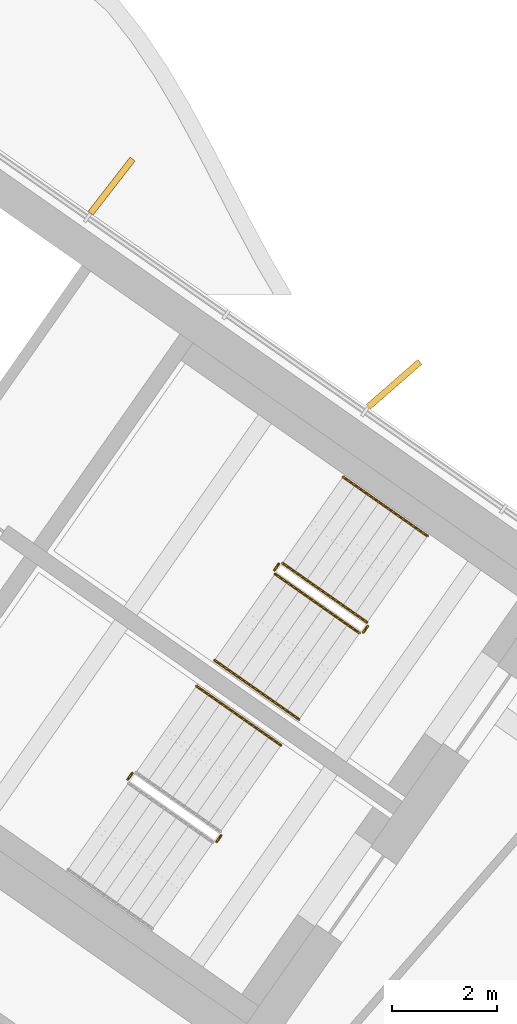
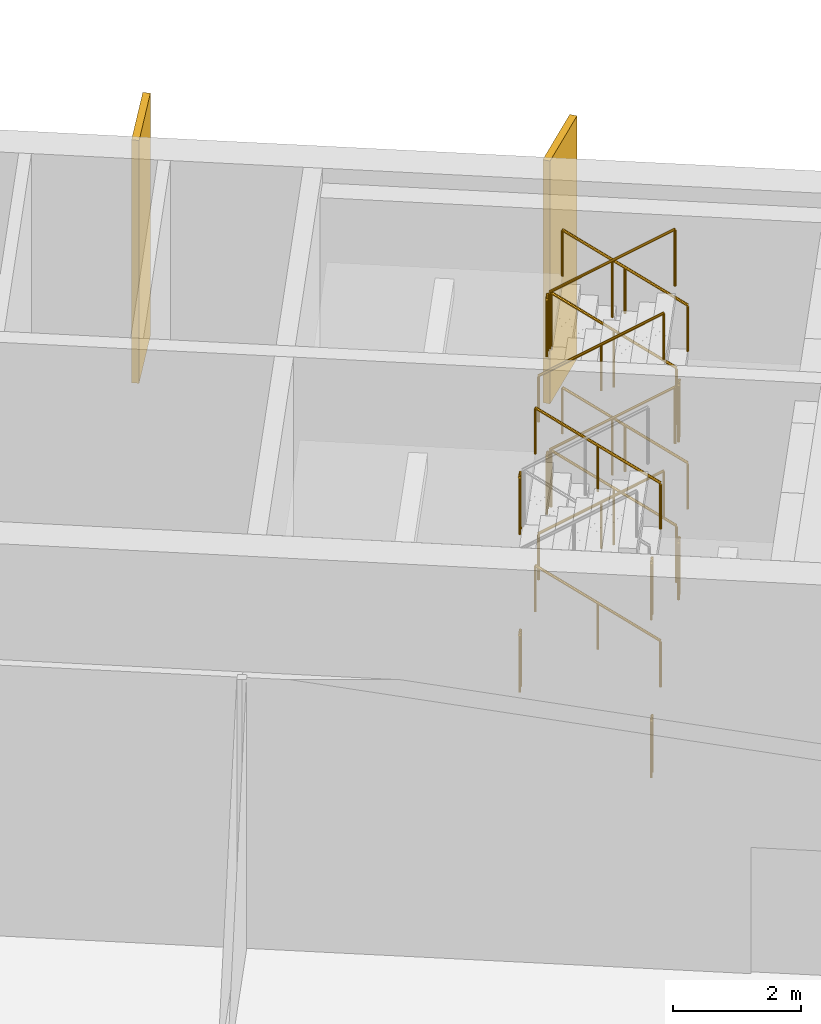
# One storey, part 20 of 22: 18 railings, 2 shading devices.
"""IFC4 building model written with IfcOpenShell, lengths in metres."""

import ifcopenshell
import ifcopenshell.guid

model = None  # the IFC model being written
_history = None  # IfcOwnerHistory: only IFC2X3 demands one
_inside = {}  # id of a spatial element -> (the spatial element, [elements in it])
_under = {}  # id of a project, library or spatial element -> (it, [spatial elements below it])
_declared = {}  # id of a project -> (the project, [libraries it declares])
_typed = {}  # id of a type object -> (the type object, [elements of that type])
_made_of = {}  # id of a material, layer set ... -> (it, [elements and type objects made of it])


def new_model(schema):
    """Start an empty IFC model of exactly this schema.

    Asked for "IFC4X3", IfcOpenShell would pick the latest addendum, in which some entities
    have other attributes; the version numbers below select the first issue.
    IFC2X3 requires an IfcOwnerHistory on every rooted entity: one is made here for all.
    """
    global model, _history
    if schema == "IFC4X3":
        model = ifcopenshell.file(schema_version=(4, 3, 0, 0))
    else:
        model = ifcopenshell.file(schema=schema)
    _inside.clear()
    _under.clear()
    _declared.clear()
    _typed.clear()
    _made_of.clear()
    _history = None
    if model.schema == "IFC2X3":
        org = make("IfcOrganization", Name="unknown")
        user = make(
            "IfcPersonAndOrganization",
            ThePerson=make("IfcPerson", FamilyName="unknown"),
            TheOrganization=org,
        )
        app = make(
            "IfcApplication",
            ApplicationDeveloper=org,
            Version="unknown",
            ApplicationFullName="unknown",
            ApplicationIdentifier="unknown",
        )
        _history = make(
            "IfcOwnerHistory",
            OwningUser=user,
            OwningApplication=app,
            ChangeAction="ADDED",
            CreationDate=0,
        )
    return model


def make(cls, **values):
    """One entity of the class cls with the attributes given. An attribute that is None is left unset."""
    return model.create_entity(
        cls, **{name: value for name, value in values.items() if value is not None}
    )


def rooted(cls, **values):
    """An entity with a GlobalId (a new one), such as an element, a storey or a relation."""
    return make(cls, GlobalId=ifcopenshell.guid.new(), OwnerHistory=_history, **values)


def si_unit(unit_type, name, prefix=None):
    """IfcSIUnit, for example si_unit("LENGTHUNIT", "METRE", prefix="MILLI")."""
    return make("IfcSIUnit", UnitType=unit_type, Prefix=prefix, Name=name)


def assignment(units):
    """IfcUnitAssignment: the units of a project."""
    return None if units is None else make("IfcUnitAssignment", Units=units)


def point(xyz):
    """IfcCartesianPoint."""
    return None if xyz is None else make("IfcCartesianPoint", Coordinates=xyz)


def direction(xyz):
    """IfcDirection."""
    return None if xyz is None else make("IfcDirection", DirectionRatios=xyz)


def frame(location, z_axis=None, x_axis=None):
    """IfcAxis2Placement3D, a coordinate frame: its origin and axes. An axis left out is left unset."""
    return make(
        "IfcAxis2Placement3D",
        Location=point(location),
        Axis=direction(z_axis),
        RefDirection=direction(x_axis),
    )


def frame_2d(location, x_axis=None):
    """IfcAxis2Placement2D, a coordinate frame in the plane: its origin and x axis."""
    return make(
        "IfcAxis2Placement2D", Location=point(location), RefDirection=direction(x_axis)
    )


def origin():
    """The frame at (0, 0, 0) with its axes left unset."""
    return frame((0.0, 0.0, 0.0))


def origin_2d():
    """The frame at (0, 0) in the plane with its x axis left unset."""
    return frame_2d((0.0, 0.0))


def place(relative_to, where):
    """IfcLocalPlacement: puts the frame where relative to a parent placement (None: the world)."""
    return make(
        "IfcLocalPlacement", PlacementRelTo=relative_to, RelativePlacement=where
    )


def context(
    kind, dimensions, precision=None, world=None, true_north=None, identifier=None
):
    """IfcGeometricRepresentationContext, for example the 3D "Model" context."""
    return make(
        "IfcGeometricRepresentationContext",
        ContextIdentifier=identifier,
        ContextType=kind,
        CoordinateSpaceDimension=dimensions,
        Precision=precision,
        WorldCoordinateSystem=world,
        TrueNorth=true_north,
    )


def subcontext(parent, identifier, kind, view, scale=None):
    """IfcGeometricRepresentationSubContext, for example "Body" below "Model"."""
    return make(
        "IfcGeometricRepresentationSubContext",
        ContextIdentifier=identifier,
        ContextType=kind,
        ParentContext=parent,
        TargetScale=scale,
        TargetView=view,
    )


def project(units=None, contexts=None):
    """IfcProject with its units and contexts."""
    return rooted(
        "IfcProject",
        Name="project",
        RepresentationContexts=contexts,
        UnitsInContext=assignment(units),
    )


def spatial(cls, under=None, at=None, **own):
    """A site, building, storey or space (cls), placed at a placement, below another one or the project."""
    s = rooted(cls, ObjectPlacement=at, **own)
    if under is not None:
        _under.setdefault(under.id(), (under, []))[1].append(s)
    return s


def profile(cls, at=None, kind="AREA", **sizes):
    """A parametric profile (cls). Its sizes go by their IFC names, for example OverallWidth=200.0."""
    return make(cls, ProfileType=kind, Position=at, **sizes)


def rectangle(**sizes):
    """IfcRectangleProfileDef."""
    return profile("IfcRectangleProfileDef", **sizes)


def circle(**sizes):
    """IfcCircleProfileDef."""
    return profile("IfcCircleProfileDef", **sizes)


def extrude(swept, where, along, depth):
    """IfcExtrudedAreaSolid: the profile swept, set in the frame where, extruded along a direction by depth."""
    return make(
        "IfcExtrudedAreaSolid",
        SweptArea=swept,
        Position=where,
        ExtrudedDirection=direction(along),
        Depth=depth,
    )


def shape(context_of_items, identifier, shape_type, items):
    """IfcShapeRepresentation: the items that make up one representation, for example the "Body"."""
    return make(
        "IfcShapeRepresentation",
        ContextOfItems=context_of_items,
        RepresentationIdentifier=identifier,
        RepresentationType=shape_type,
        Items=items,
    )


def material(Name=None, Category=None):
    """IfcMaterial."""
    return make("IfcMaterial", Name=Name, Category=Category)


def layer(
    of_material, thickness, ventilated=None, Name=None, Category=None, Priority=None
):
    """IfcMaterialLayer: one layer of a wall or slab, of a material (None: an air gap)."""
    return make(
        "IfcMaterialLayer",
        Material=of_material,
        LayerThickness=thickness,
        IsVentilated=ventilated,
        Name=Name,
        Category=Category,
        Priority=Priority,
    )


def layer_set(layers, Name=None):
    """IfcMaterialLayerSet."""
    return make("IfcMaterialLayerSet", MaterialLayers=layers, LayerSetName=Name)


def made_of(thing, what):
    """Note that an element or type object is made of a material, layer set ...; save() writes the relation."""
    if what is not None:
        _made_of.setdefault(what.id(), (what, []))[1].append(thing)
    return thing


def type_object(cls, material=None, **own):
    """A type object (cls), such as IfcWallType, which elements share."""
    return made_of(rooted(cls, **own), material)


def element(
    cls,
    number,
    at=None,
    inside=None,
    cuts=None,
    type_object=None,
    material=None,
    context=None,
    identifier="Body",
    shape_type=None,
    held_by="IfcProductDefinitionShape",
    body=None,
    shapes=None,
    **own,
):
    """One element of the class cls, such as IfcWall. Its Tag is "e" and its number.

    at: its placement. inside: the storey or other place that contains it. cuts: it is an
    opening in that element (IfcRelVoidsElement). A single representation is given by context,
    identifier, shape_type and body (its items); several are given by shapes. held_by: the class
    of the entity that holds the representations. save() writes the other relations.
    """
    e = rooted(cls, Tag="e%d" % number, ObjectPlacement=at, **own)
    if body is not None:
        shapes = [shape(context, identifier, shape_type, body)]
    if shapes is not None:
        e.Representation = make(held_by, Representations=shapes)
    if inside is not None:
        _inside.setdefault(inside.id(), (inside, []))[1].append(e)
    if cuts is not None:
        rooted(
            "IfcRelVoidsElement", RelatingBuildingElement=cuts, RelatedOpeningElement=e
        )
    if type_object is not None:
        _typed.setdefault(type_object.id(), (type_object, []))[1].append(e)
    return made_of(e, material)


def aggregate(whole, parts):
    """IfcRelAggregates: a whole, such as a stair, and the parts it consists of."""
    return rooted("IfcRelAggregates", RelatingObject=whole, RelatedObjects=parts)


def save(model, path):
    """Write the relations noted so far, then the file.

    IfcRelAggregates (storeys below a building ...), IfcRelContainedInSpatialStructure (elements
    in a storey), IfcRelDefinesByType, IfcRelAssociatesMaterial and IfcRelDeclares: one each for
    every whole, place, type object, material and project.
    """
    for whole, parts in _under.values():
        aggregate(whole, parts)
    for where, things in _inside.values():
        rooted(
            "IfcRelContainedInSpatialStructure",
            RelatedElements=things,
            RelatingStructure=where,
        )
    for kind, things in _typed.values():
        rooted("IfcRelDefinesByType", RelatedObjects=things, RelatingType=kind)
    for what, things in _made_of.values():
        rooted("IfcRelAssociatesMaterial", RelatedObjects=things, RelatingMaterial=what)
    for by, libraries in _declared.values():
        rooted("IfcRelDeclares", RelatingContext=by, RelatedDefinitions=libraries)
    model.write(path)


model = new_model("IFC4")

# Units and contexts
model_context = context("Model", 3, precision=1e-05, world=origin(), true_north=direction((0.0, 1.0)))
body_context = subcontext(model_context, "Body", "Model", "MODEL_VIEW")
ifc_project = project(units=[si_unit("LENGTHUNIT", "METRE"), si_unit("AREAUNIT", "SQUARE_METRE"), si_unit("VOLUMEUNIT", "CUBIC_METRE"), si_unit("PLANEANGLEUNIT", "RADIAN"), si_unit("MASSUNIT", "GRAM", prefix="KILO")], contexts=[model_context])

# Site, building, storey
site_placement = place(None, origin())
site = spatial("IfcSite", under=ifc_project, at=site_placement, CompositionType="ELEMENT")
building_placement = place(site_placement, origin())
building = spatial("IfcBuilding", under=site, at=building_placement, Name="Tel Ilan Convention Tower", CompositionType="ELEMENT")
storey_placement = place(building_placement, frame((0.0, 0.0, 219.39990234375)))
storey = spatial("IfcBuildingStorey", under=building, at=storey_placement, Name="L51", CompositionType="ELEMENT", Elevation=219.39990234375)

# Shading devices
ifc_material_1 = material(Name="Aluminium, bronze anodised", Category="aluminium")
ifc_layer = layer(ifc_material_1, 0.1201171875)
ifc_layer_set = layer_set([ifc_layer], Name="FIN BRONZE 1300x120")
shading_device_type = type_object("IfcShadingDeviceType", Name="FIN BRONZE 1300x120", PredefinedType="USERDEFINED", material=ifc_layer_set)
for number, where, z_axis, x_axis, name in (
    (1, (24.191162109375, -3.33349609375, 1.10009765625), (0.0, 0.0, 1.0), (0.753435896329, 0.657521368568, 0.0), "FIN"),
    (2, (18.827880859375, 0.43017578125, 1.10009765625), (0.0, 0.0, 1.0), (0.612600545196, 0.790392669516, 0.0), "FIN"),
):
    element("IfcShadingDevice", number, at=place(storey_placement, frame(where, z_axis=z_axis, x_axis=x_axis)), inside=storey, type_object=shading_device_type, Name=name, ObjectType="FIN", PredefinedType="USERDEFINED", context=body_context, shape_type="SweptSolid", body=[
        extrude(rectangle(XDim=1.300048828125, YDim=0.1201171875, at=origin_2d()), origin(), (0.0, 0.0, 1.0), 4.6201171875),
    ])

# Railings
ifc_material_2 = material(Name="Stainless Steel Grade 316", Category="steel")
railing_type_1 = type_object("IfcRailingType", Name="Stainless Steel Stair Guard 1100 mm", PredefinedType="GUARDRAIL", material=ifc_material_2)
railing_1_placement = place(storey_placement, frame((23.6787109375, -7.8515625, 0.1875)))
element("IfcRailing", 3, at=railing_1_placement, inside=storey, type_object=railing_type_1, Name="L51 S3 stair guard 1", PredefinedType="GUARDRAIL", context=body_context, shape_type="SweptSolid", body=[
    extrude(circle(Radius=0.02392578125, at=origin_2d()), frame((0.0, 0.0, 1.076171875), z_axis=(-0.680615610069, 0.476617226942, 0.556415681224), x_axis=(-0.573612813533, -0.819126571508, 0.0)), (0.0, 0.0, 1.0), 2.35888671875),
    extrude(circle(Radius=0.02099609375, at=origin_2d()), origin(), (0.0, 0.0, 1.0), 1.052001953125),
    extrude(circle(Radius=0.02099609375, at=origin_2d()), frame((-0.802734375, 0.56201171875, 0.65625)), (0.0, 0.0, 1.0), 1.052001953125),
    extrude(circle(Radius=0.02099609375, at=origin_2d()), frame((-1.60546875, 1.124267578125, 1.3125)), (0.0, 0.0, 1.0), 1.052001953125),
])
railing_2_placement = place(storey_placement, frame((22.003662109375, -6.739501953125, 1.5)))
element("IfcRailing", 4, at=railing_2_placement, inside=storey, type_object=railing_type_1, Name="L51 S3 stair guard 2", PredefinedType="GUARDRAIL", context=body_context, shape_type="SweptSolid", body=[
    extrude(circle(Radius=0.02392578125, at=origin_2d()), frame((0.0, 0.0, 1.076171875), z_axis=(-0.57368046593, -0.819079192149, 0.0), x_axis=(0.819079192149, -0.57368046593, 0.0)), (0.0, 0.0, 1.0), 0.150146484375),
    extrude(circle(Radius=0.02099609375, at=origin_2d()), origin(), (0.0, 0.0, 1.0), 1.052001953125),
    extrude(circle(Radius=0.02099609375, at=origin_2d()), frame((-0.086181640625, -0.123046875, 0.0)), (0.0, 0.0, 1.0), 1.052001953125),
])
railing_3_placement = place(storey_placement, frame((21.929931640625, -6.93212890625, 1.6875)))
element("IfcRailing", 5, at=railing_3_placement, inside=storey, type_object=railing_type_1, Name="L51 S3 stair guard 3", PredefinedType="GUARDRAIL", context=body_context, shape_type="SweptSolid", body=[
    extrude(circle(Radius=0.02392578125, at=origin_2d()), frame((0.0, 0.0, 1.076171875), z_axis=(0.680615610069, -0.476617226942, 0.556415681224), x_axis=(0.573612813533, 0.819126571508, 0.0)), (0.0, 0.0, 1.0), 2.35888671875),
    extrude(circle(Radius=0.02099609375, at=origin_2d()), origin(), (0.0, 0.0, 1.0), 1.052001953125),
    extrude(circle(Radius=0.02099609375, at=origin_2d()), frame((0.802734375, -0.56201171875, 0.65625)), (0.0, 0.0, 1.0), 1.052001953125),
    extrude(circle(Radius=0.02099609375, at=origin_2d()), frame((1.60546875, -1.124267578125, 1.3125)), (0.0, 0.0, 1.0), 1.052001953125),
])
railing_4_placement = place(storey_placement, frame((23.691162109375, -7.921142578125, 3.0)))
element("IfcRailing", 6, at=railing_4_placement, inside=storey, type_object=railing_type_1, Name="L51 S3 stair guard 4", PredefinedType="GUARDRAIL", context=body_context, shape_type="SweptSolid", body=[
    extrude(circle(Radius=0.02392578125, at=origin_2d()), frame((0.0, 0.0, 1.076171875), z_axis=(-0.574444878118, -0.818543268254, 0.0), x_axis=(0.818543268254, -0.574444878118, 0.0)), (0.0, 0.0, 1.0), 0.150146484375),
    extrude(circle(Radius=0.02099609375, at=origin_2d()), origin(), (0.0, 0.0, 1.0), 1.052001953125),
    extrude(circle(Radius=0.02099609375, at=origin_2d()), frame((-0.086181640625, -0.122802734375, 0.0)), (0.0, 0.0, 1.0), 1.052001953125),
])
railing_5_placement = place(storey_placement, frame((23.6787109375, -7.8515625, 3.1875)))
element("IfcRailing", 7, at=railing_5_placement, inside=storey, type_object=railing_type_1, Name="L51 S3 stair guard 5", PredefinedType="GUARDRAIL", context=body_context, shape_type="SweptSolid", body=[
    extrude(circle(Radius=0.02392578125, at=origin_2d()), frame((0.0, 0.0, 1.076171875), z_axis=(-0.680615610069, 0.476617226942, 0.556415681224), x_axis=(-0.573612813533, -0.819126571508, 0.0)), (0.0, 0.0, 1.0), 2.35888671875),
    extrude(circle(Radius=0.02099609375, at=origin_2d()), origin(), (0.0, 0.0, 1.0), 1.052001953125),
    extrude(circle(Radius=0.02099609375, at=origin_2d()), frame((-0.802734375, 0.56201171875, 0.65625)), (0.0, 0.0, 1.0), 1.052001953125),
    extrude(circle(Radius=0.02099609375, at=origin_2d()), frame((-1.60546875, 1.124267578125, 1.3125)), (0.0, 0.0, 1.0), 1.052001953125),
])
railing_6_placement = place(storey_placement, frame((22.003662109375, -6.739501953125, 4.5)))
element("IfcRailing", 8, at=railing_6_placement, inside=storey, type_object=railing_type_1, Name="L51 S3 stair guard 6", PredefinedType="GUARDRAIL", context=body_context, shape_type="SweptSolid", body=[
    extrude(circle(Radius=0.02392578125, at=origin_2d()), frame((0.0, 0.0, 1.076171875), z_axis=(-0.57368046593, -0.819079192149, 0.0), x_axis=(0.819079192149, -0.57368046593, 0.0)), (0.0, 0.0, 1.0), 0.150146484375),
    extrude(circle(Radius=0.02099609375, at=origin_2d()), origin(), (0.0, 0.0, 1.0), 1.052001953125),
    extrude(circle(Radius=0.02099609375, at=origin_2d()), frame((-0.086181640625, -0.123046875, 0.0)), (0.0, 0.0, 1.0), 1.052001953125),
])
railing_7_placement = place(storey_placement, frame((21.929931640625, -6.93212890625, 4.6875)))
element("IfcRailing", 9, at=railing_7_placement, inside=storey, type_object=railing_type_1, Name="L51 S3 stair guard 7", PredefinedType="GUARDRAIL", context=body_context, shape_type="SweptSolid", body=[
    extrude(circle(Radius=0.02392578125, at=origin_2d()), frame((0.0, 0.0, 1.076171875), z_axis=(0.680615610069, -0.476617226942, 0.556415681224), x_axis=(0.573612813533, 0.819126571508, 0.0)), (0.0, 0.0, 1.0), 2.35888671875),
    extrude(circle(Radius=0.02099609375, at=origin_2d()), origin(), (0.0, 0.0, 1.0), 1.052001953125),
    extrude(circle(Radius=0.02099609375, at=origin_2d()), frame((0.802734375, -0.56201171875, 0.65625)), (0.0, 0.0, 1.0), 1.052001953125),
    extrude(circle(Radius=0.02099609375, at=origin_2d()), frame((1.60546875, -1.124267578125, 1.3125)), (0.0, 0.0, 1.0), 1.052001953125),
])
railing_8_placement = place(storey_placement, frame((23.691162109375, -7.921142578125, 0.0)))
element("IfcRailing", 10, at=railing_8_placement, inside=storey, type_object=railing_type_1, Name="L51 S3 stair guard 8", PredefinedType="GUARDRAIL", context=body_context, shape_type="SweptSolid", body=[
    extrude(circle(Radius=0.02392578125, at=origin_2d()), frame((0.0, 0.0, 1.076171875), z_axis=(-0.574444878118, -0.818543268254, 0.0), x_axis=(0.818543268254, -0.574444878118, 0.0)), (0.0, 0.0, 1.0), 0.150146484375),
    extrude(circle(Radius=0.02099609375, at=origin_2d()), origin(), (0.0, 0.0, 1.0), 1.052001953125),
    extrude(circle(Radius=0.02099609375, at=origin_2d()), frame((-0.086181640625, -0.122802734375, 0.0)), (0.0, 0.0, 1.0), 1.052001953125),
])
railing_9_placement = place(storey_placement, frame((19.2216796875, -10.71240234375, 1.5)))
element("IfcRailing", 11, at=railing_9_placement, inside=storey, type_object=railing_type_1, Name="L51 S4 stair guard 2", PredefinedType="GUARDRAIL", context=body_context, shape_type="SweptSolid", body=[
    extrude(circle(Radius=0.02392578125, at=origin_2d()), frame((0.0, 0.0, 1.076171875), z_axis=(-0.572588637393, -0.819842821722, 0.0), x_axis=(0.819842821722, -0.572588637393, 0.0)), (0.0, 0.0, 1.0), 0.150146484375),
    extrude(circle(Radius=0.02099609375, at=origin_2d()), origin(), (0.0, 0.0, 1.0), 1.052001953125),
    extrude(circle(Radius=0.02099609375, at=origin_2d()), frame((-0.0859375, -0.123046875, 0.0)), (0.0, 0.0, 1.0), 1.052001953125),
])
railing_10_placement = place(storey_placement, frame((20.9091796875, -11.89404296875, 3.0)))
element("IfcRailing", 12, at=railing_10_placement, inside=storey, type_object=railing_type_1, Name="L51 S4 stair guard 4", PredefinedType="GUARDRAIL", context=body_context, shape_type="SweptSolid", body=[
    extrude(circle(Radius=0.02392578125, at=origin_2d()), frame((0.0, 0.0, 1.076171875), z_axis=(-0.573353020881, -0.819308436089, 0.0), x_axis=(0.819308436089, -0.573353020881, 0.0)), (0.0, 0.0, 1.0), 0.14990234375),
    extrude(circle(Radius=0.02099609375, at=origin_2d()), origin(), (0.0, 0.0, 1.0), 1.052001953125),
    extrude(circle(Radius=0.02099609375, at=origin_2d()), frame((-0.0859375, -0.122802734375, 0.0)), (0.0, 0.0, 1.0), 1.052001953125),
])
railing_11_placement = place(storey_placement, frame((19.2216796875, -10.71240234375, 4.5)))
element("IfcRailing", 13, at=railing_11_placement, inside=storey, type_object=railing_type_1, Name="L51 S4 stair guard 6", PredefinedType="GUARDRAIL", context=body_context, shape_type="SweptSolid", body=[
    extrude(circle(Radius=0.02392578125, at=origin_2d()), frame((0.0, 0.0, 1.076171875), z_axis=(-0.572588637393, -0.819842821722, 0.0), x_axis=(0.819842821722, -0.572588637393, 0.0)), (0.0, 0.0, 1.0), 0.150146484375),
    extrude(circle(Radius=0.02099609375, at=origin_2d()), origin(), (0.0, 0.0, 1.0), 1.052001953125),
    extrude(circle(Radius=0.02099609375, at=origin_2d()), frame((-0.0859375, -0.123046875, 0.0)), (0.0, 0.0, 1.0), 1.052001953125),
])
railing_12_placement = place(storey_placement, frame((20.9091796875, -11.89404296875, 0.0)))
element("IfcRailing", 14, at=railing_12_placement, inside=storey, type_object=railing_type_1, Name="L51 S4 stair guard 8", PredefinedType="GUARDRAIL", context=body_context, shape_type="SweptSolid", body=[
    extrude(circle(Radius=0.02392578125, at=origin_2d()), frame((0.0, 0.0, 1.076171875), z_axis=(-0.573353020881, -0.819308436089, 0.0), x_axis=(0.819308436089, -0.573353020881, 0.0)), (0.0, 0.0, 1.0), 0.14990234375),
    extrude(circle(Radius=0.02099609375, at=origin_2d()), origin(), (0.0, 0.0, 1.0), 1.052001953125),
    extrude(circle(Radius=0.02099609375, at=origin_2d()), frame((-0.0859375, -0.122802734375, 0.0)), (0.0, 0.0, 1.0), 1.052001953125),
])
ifc_material_3 = material(Name="Stainless Steel Grade 316", Category="steel")
railing_type_2 = type_object("IfcRailingType", Name="Stainless Steel Stair Handrail 900 mm", PredefinedType="HANDRAIL", material=ifc_material_3)
railing_13_placement = place(storey_placement, frame((24.825927734375, -6.213134765625, 0.1875)))
element("IfcRailing", 15, at=railing_13_placement, inside=storey, type_object=railing_type_2, Name="L51 S3 stair handrail 1", PredefinedType="HANDRAIL", context=body_context, shape_type="SweptSolid", body=[
    extrude(circle(Radius=0.02392578125, at=origin_2d()), frame((0.0, 0.0, 0.8759765625), z_axis=(-0.680649183577, 0.476537232541, 0.55644312818), x_axis=(-0.573529226717, -0.819185098803, 0.0)), (0.0, 0.0, 1.0), 2.358642578125),
    extrude(circle(Radius=0.02099609375, at=origin_2d()), origin(), (0.0, 0.0, 1.0), 0.851806640625),
    extrude(circle(Radius=0.02099609375, at=origin_2d()), frame((-0.802734375, 0.56201171875, 0.65625)), (0.0, 0.0, 1.0), 0.851806640625),
    extrude(circle(Radius=0.02099609375, at=origin_2d()), frame((-1.60546875, 1.1240234375, 1.3125)), (0.0, 0.0, 1.0), 0.851806640625),
])
railing_14_placement = place(storey_placement, frame((20.78271484375, -8.5703125, 1.6875)))
element("IfcRailing", 16, at=railing_14_placement, inside=storey, type_object=railing_type_2, Name="L51 S3 stair handrail 2", PredefinedType="HANDRAIL", context=body_context, shape_type="SweptSolid", body=[
    extrude(circle(Radius=0.02392578125, at=origin_2d()), frame((0.0, 0.0, 0.8759765625), z_axis=(0.680615610069, -0.476617226942, 0.556415681224), x_axis=(0.573612813533, 0.819126571508, 0.0)), (0.0, 0.0, 1.0), 2.35888671875),
    extrude(circle(Radius=0.02099609375, at=origin_2d()), origin(), (0.0, 0.0, 1.0), 0.851806640625),
    extrude(circle(Radius=0.02099609375, at=origin_2d()), frame((0.802734375, -0.56201171875, 0.65625)), (0.0, 0.0, 1.0), 0.851806640625),
    extrude(circle(Radius=0.02099609375, at=origin_2d()), frame((1.60546875, -1.124267578125, 1.3125)), (0.0, 0.0, 1.0), 0.851806640625),
])
railing_15_placement = place(storey_placement, frame((24.825927734375, -6.213134765625, 3.1875)))
element("IfcRailing", 17, at=railing_15_placement, inside=storey, type_object=railing_type_2, Name="L51 S3 stair handrail 3", PredefinedType="HANDRAIL", context=body_context, shape_type="SweptSolid", body=[
    extrude(circle(Radius=0.02392578125, at=origin_2d()), frame((0.0, 0.0, 0.8759765625), z_axis=(-0.680649183577, 0.476537232541, 0.55644312818), x_axis=(-0.573529226717, -0.819185098803, 0.0)), (0.0, 0.0, 1.0), 2.358642578125),
    extrude(circle(Radius=0.02099609375, at=origin_2d()), origin(), (0.0, 0.0, 1.0), 0.851806640625),
    extrude(circle(Radius=0.02099609375, at=origin_2d()), frame((-0.802734375, 0.56201171875, 0.65625)), (0.0, 0.0, 1.0), 0.851806640625),
    extrude(circle(Radius=0.02099609375, at=origin_2d()), frame((-1.60546875, 1.1240234375, 1.3125)), (0.0, 0.0, 1.0), 0.851806640625),
])
railing_16_placement = place(storey_placement, frame((20.78271484375, -8.5703125, 4.6875)))
element("IfcRailing", 18, at=railing_16_placement, inside=storey, type_object=railing_type_2, Name="L51 S3 stair handrail 4", PredefinedType="HANDRAIL", context=body_context, shape_type="SweptSolid", body=[
    extrude(circle(Radius=0.02392578125, at=origin_2d()), frame((0.0, 0.0, 0.8759765625), z_axis=(0.680615610069, -0.476617226942, 0.556415681224), x_axis=(0.573612813533, 0.819126571508, 0.0)), (0.0, 0.0, 1.0), 2.35888671875),
    extrude(circle(Radius=0.02099609375, at=origin_2d()), origin(), (0.0, 0.0, 1.0), 0.851806640625),
    extrude(circle(Radius=0.02099609375, at=origin_2d()), frame((0.802734375, -0.56201171875, 0.65625)), (0.0, 0.0, 1.0), 0.851806640625),
    extrude(circle(Radius=0.02099609375, at=origin_2d()), frame((1.60546875, -1.124267578125, 1.3125)), (0.0, 0.0, 1.0), 0.851806640625),
])
for number, where, name in (
    (19, (22.044189453125, -10.18603515625, 0.1875), "L51 S4 stair handrail 1"),
    (20, (22.044189453125, -10.18603515625, 3.1875), "L51 S4 stair handrail 3"),
):
    element("IfcRailing", number, at=place(storey_placement, frame(where)), inside=storey, type_object=railing_type_2, Name=name, PredefinedType="HANDRAIL", context=body_context, shape_type="SweptSolid", body=[
        extrude(circle(Radius=0.02392578125, at=origin_2d()), frame((0.0, 0.0, 0.8759765625), z_axis=(-0.680704730592, 0.47650366119, 0.556403927576), x_axis=(-0.573470704013, -0.8192260687, 0.0)), (0.0, 0.0, 1.0), 2.35888671875),
        extrude(circle(Radius=0.02099609375, at=origin_2d()), origin(), (0.0, 0.0, 1.0), 0.851806640625),
        extrude(circle(Radius=0.02099609375, at=origin_2d()), frame((-0.802734375, 0.56201171875, 0.65625)), (0.0, 0.0, 1.0), 0.851806640625),
        extrude(circle(Radius=0.02099609375, at=origin_2d()), frame((-1.605712890625, 1.1240234375, 1.3125)), (0.0, 0.0, 1.0), 0.851806640625),
    ])

save(model, "model.ifc")
